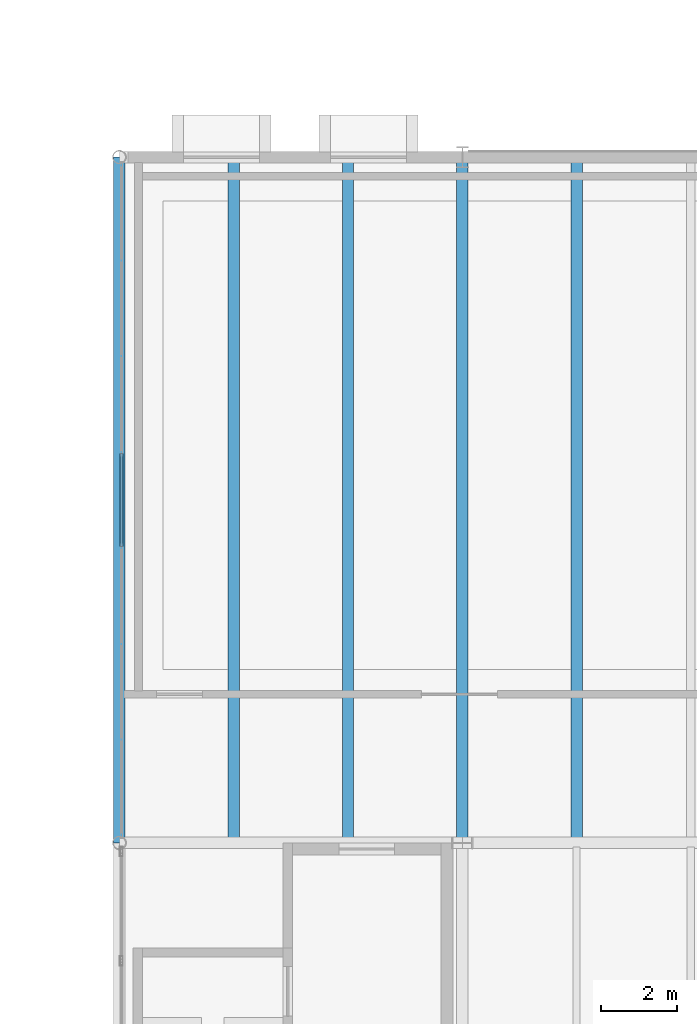
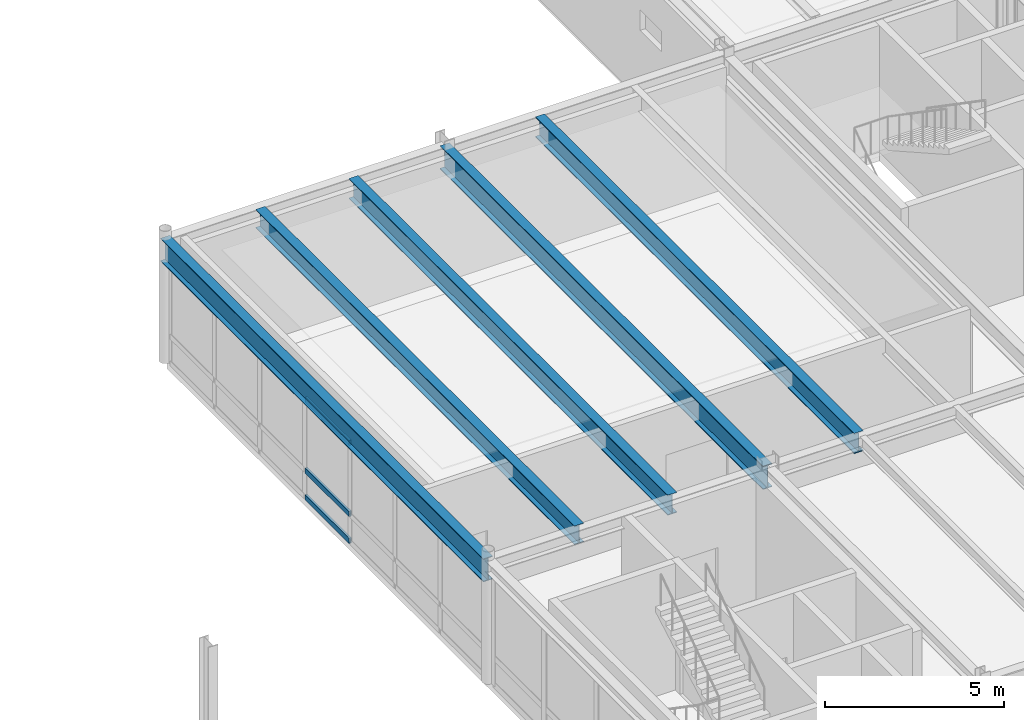
# One storey, part 75 of 127: 5 beams, 3 members, 1 element without a shape of its own.
"""IFC4 building model written with IfcOpenShell, lengths in metres."""

from ifc_helpers import new_model, si_unit, direction, frame, origin, origin_2d, place, context, subcontext, project, spatial, hollow_rectangle, i_section, extrude, material, layer, layer_set, material_profile, profile_set, type_object, element, aggregate, save


model = new_model("IFC4")

# Units and contexts
model_context = context("Model", 3, precision=1e-05, world=origin(), true_north=direction((0.0, 1.0)))
body_context = subcontext(model_context, "Body", "Model", "MODEL_VIEW")
ifc_project = project(units=[si_unit("LENGTHUNIT", "METRE"), si_unit("AREAUNIT", "SQUARE_METRE"), si_unit("VOLUMEUNIT", "CUBIC_METRE"), si_unit("PLANEANGLEUNIT", "RADIAN"), si_unit("MASSUNIT", "GRAM", prefix="KILO")], contexts=[model_context])

# Site, building, storey
site_placement = place(None, origin())
site = spatial("IfcSite", under=ifc_project, at=site_placement, CompositionType="ELEMENT")
building_placement = place(site_placement, origin())
building = spatial("IfcBuilding", under=site, at=building_placement, Name="Montelvaro Courts of Justice", CompositionType="ELEMENT")
storey_placement = place(building_placement, frame((0.0, 0.0, 5.39990234375)))
storey = spatial("IfcBuildingStorey", under=building, at=storey_placement, Name="L01", CompositionType="ELEMENT", Elevation=5.39990234375)

# Beams
ifc_material_1 = material(Name="Steel S355", Category="steel")
ifc_material_profile_1 = material_profile(ifc_material_1, i_section(OverallWidth=0.300048828125, OverallDepth=0.639892578125, WebThickness=0.013427734375, FlangeThickness=0.02587890625, at=origin_2d()), Name="HEA 650")
ifc_profile_set_1 = profile_set([ifc_material_profile_1], Name="Steel S355")
beam_type_1 = type_object("IfcBeamType", Name="Beam_HEA650", PredefinedType="USERDEFINED", material=ifc_profile_set_1)
beam_1_placement = place(storey_placement, frame((102.0, 78.110107421875, 3.880126953125), z_axis=(0.0, 1.0, 0.0), x_axis=(-1.0, 0.0, 0.0)))
element("IfcBeam", 1, at=beam_1_placement, inside=storey, type_object=beam_type_1, Name="Beam B-22 L01", ObjectType="GIRDER", PredefinedType="USERDEFINED", context=body_context, shape_type="SweptSolid", body=[
    extrude(i_section(OverallWidth=0.300048828125, OverallDepth=0.639892578125, WebThickness=0.013427734375, FlangeThickness=0.02587890625, at=origin_2d()), origin(), (0.0, 0.0, 1.0), 17.77978515625),
])
ifc_material_profile_2 = material_profile(ifc_material_1, i_section(OverallWidth=0.300048828125, OverallDepth=0.68994140625, WebThickness=0.014404296875, FlangeThickness=0.027099609375, at=origin_2d()), Name="HEA 700")
ifc_profile_set_2 = profile_set([ifc_material_profile_2], Name="Steel S355")
beam_type_2 = type_object("IfcBeamType", Name="Beam_HEA700", PredefinedType="USERDEFINED", material=ifc_profile_set_2)
for number, where, z_axis, x_axis, name in (
    (2, (105.0, 78.110107421875, 3.85498046875), (0.0, 1.0, 0.0), (-1.0, 0.0, 0.0), "Beam B-23 L01"),
    (3, (111.0, 78.110107421875, 3.85498046875), (0.0, 1.0, 0.0), (-1.0, 0.0, 0.0), "Beam B-23 L01"),
):
    element("IfcBeam", number, at=place(storey_placement, frame(where, z_axis=z_axis, x_axis=x_axis)), inside=storey, type_object=beam_type_2, Name=name, ObjectType="GIRDER", PredefinedType="USERDEFINED", context=body_context, shape_type="SweptSolid", body=[
        extrude(i_section(OverallWidth=0.300048828125, OverallDepth=0.68994140625, WebThickness=0.014404296875, FlangeThickness=0.027099609375, at=origin_2d()), origin(), (0.0, 0.0, 1.0), 17.77978515625),
    ])
ifc_material_profile_3 = material_profile(ifc_material_1, i_section(OverallWidth=0.300048828125, OverallDepth=0.7900390625, WebThickness=0.014892578125, FlangeThickness=0.028076171875, at=origin_2d()), Name="HEA 800")
ifc_profile_set_3 = profile_set([ifc_material_profile_3], Name="Steel S355")
beam_type_3 = type_object("IfcBeamType", Name="Beam_HEA800", PredefinedType="USERDEFINED", material=ifc_profile_set_3)
beam_2_placement = place(storey_placement, frame((99.0, 78.0, 3.80517578125), z_axis=(0.0, 1.0, 0.0), x_axis=(-1.0, 0.0, 0.0)))
element("IfcBeam", 4, at=beam_2_placement, inside=storey, type_object=beam_type_3, Name="Beam B-24 L01", ObjectType="GIRDER", PredefinedType="USERDEFINED", context=body_context, shape_type="SweptSolid", body=[
    extrude(i_section(OverallWidth=0.300048828125, OverallDepth=0.7900390625, WebThickness=0.014892578125, FlangeThickness=0.028076171875, at=origin_2d()), origin(), (0.0, 0.0, 1.0), 18.0),
])
ifc_material_profile_4 = material_profile(ifc_material_1, i_section(OverallWidth=0.300048828125, OverallDepth=0.800048828125, WebThickness=0.017578125, FlangeThickness=0.032958984375, at=origin_2d()), Name="HEB 800")
ifc_profile_set_4 = profile_set([ifc_material_profile_4], Name="Steel S355")
beam_type_4 = type_object("IfcBeamType", Name="Beam_HEB800", PredefinedType="USERDEFINED", material=ifc_profile_set_4)
beam_3_placement = place(storey_placement, frame((108.0, 78.0, 3.800048828125), z_axis=(0.0, 1.0, 0.0), x_axis=(-1.0, 0.0, 0.0)))
element("IfcBeam", 5, at=beam_3_placement, inside=storey, type_object=beam_type_4, Name="Beam B-29 L01", ObjectType="GIRDER", PredefinedType="USERDEFINED", context=body_context, shape_type="SweptSolid", body=[
    extrude(i_section(OverallWidth=0.300048828125, OverallDepth=0.800048828125, WebThickness=0.017578125, FlangeThickness=0.032958984375, at=origin_2d()), origin(), (0.0, 0.0, 1.0), 18.0),
])

# Curtain wall, members
ifc_material_2 = material(Name="Anodised aluminium EN AW-6063", Category="aluminium")
ifc_layer = layer(ifc_material_2, 0.159912109375)
ifc_layer_set = layer_set([ifc_layer], Name="Anodised aluminium EN AW-6063")
curtain_wall_type = type_object("IfcCurtainWallType", Name="CurtainWall_22_1761x418", PredefinedType="USERDEFINED", material=ifc_layer_set)
curtain_wall_placement = place(storey_placement, origin())
curtain_wall = element("IfcCurtainWall", 6, at=curtain_wall_placement, inside=storey, type_object=curtain_wall_type, Name="Curtain Wall CW-22 (L01)", ObjectType="CURTAIN WALL", PredefinedType="USERDEFINED")
ifc_material_profile_5 = material_profile(ifc_material_2, hollow_rectangle(XDim=0.074951171875, YDim=0.179931640625, WallThickness=0.0048828125, at=origin_2d()), Name="ALU-T 75x180")
ifc_profile_set_5 = profile_set([ifc_material_profile_5], Name="Anodised aluminium EN AW-6063")
member_type = type_object("IfcMemberType", Name="CurtainWall_Transom_75x180", PredefinedType="USERDEFINED", material=ifc_profile_set_5)
member_1_placement = place(storey_placement, frame((99.050048828125, 88.2255859375, 0.03759765625), z_axis=(0.0, -1.0, 0.0), x_axis=(1.0, 0.0, 0.0)))
member_1 = element("IfcMember", 7, at=member_1_placement, type_object=member_type, Name="CW-22 transom 4.1", ObjectType="TRANSOM", PredefinedType="USERDEFINED", context=body_context, shape_type="SweptSolid", body=[
    extrude(hollow_rectangle(XDim=0.074951171875, YDim=0.179931640625, WallThickness=0.0048828125, at=origin_2d()), origin(), (0.0, 0.0, 1.0), 2.451171875),
])
member_2_placement = place(storey_placement, frame((99.050048828125, 88.2255859375, 0.9501953125), z_axis=(0.0, -1.0, 0.0), x_axis=(1.0, 0.0, 0.0)))
member_2 = element("IfcMember", 8, at=member_2_placement, type_object=member_type, Name="CW-22 transom 4.2", ObjectType="TRANSOM", PredefinedType="USERDEFINED", context=body_context, shape_type="SweptSolid", body=[
    extrude(hollow_rectangle(XDim=0.074951171875, YDim=0.179931640625, WallThickness=0.0048828125, at=origin_2d()), origin(), (0.0, 0.0, 1.0), 2.451171875),
])
member_3_placement = place(storey_placement, frame((99.050048828125, 88.2255859375, 3.36767578125), z_axis=(0.0, -1.0, 0.0), x_axis=(1.0, 0.0, 0.0)))
member_3 = element("IfcMember", 9, at=member_3_placement, type_object=member_type, Name="CW-22 transom 4.3", ObjectType="TRANSOM", PredefinedType="USERDEFINED", context=body_context, shape_type="SweptSolid", body=[
    extrude(hollow_rectangle(XDim=0.074951171875, YDim=0.179931640625, WallThickness=0.0048828125, at=origin_2d()), origin(), (0.0, 0.0, 1.0), 2.451171875),
])
aggregate(curtain_wall, [member_1, member_2, member_3])

save(model, "model.ifc")
